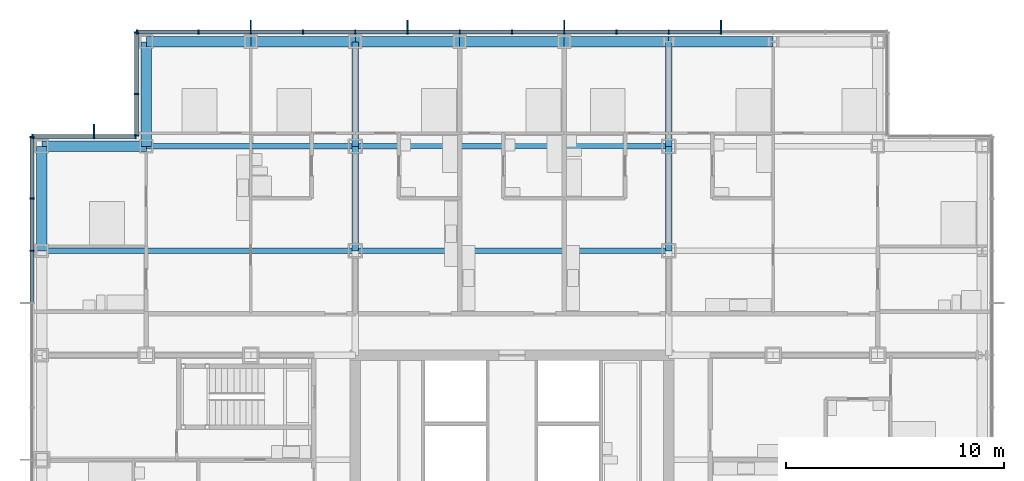
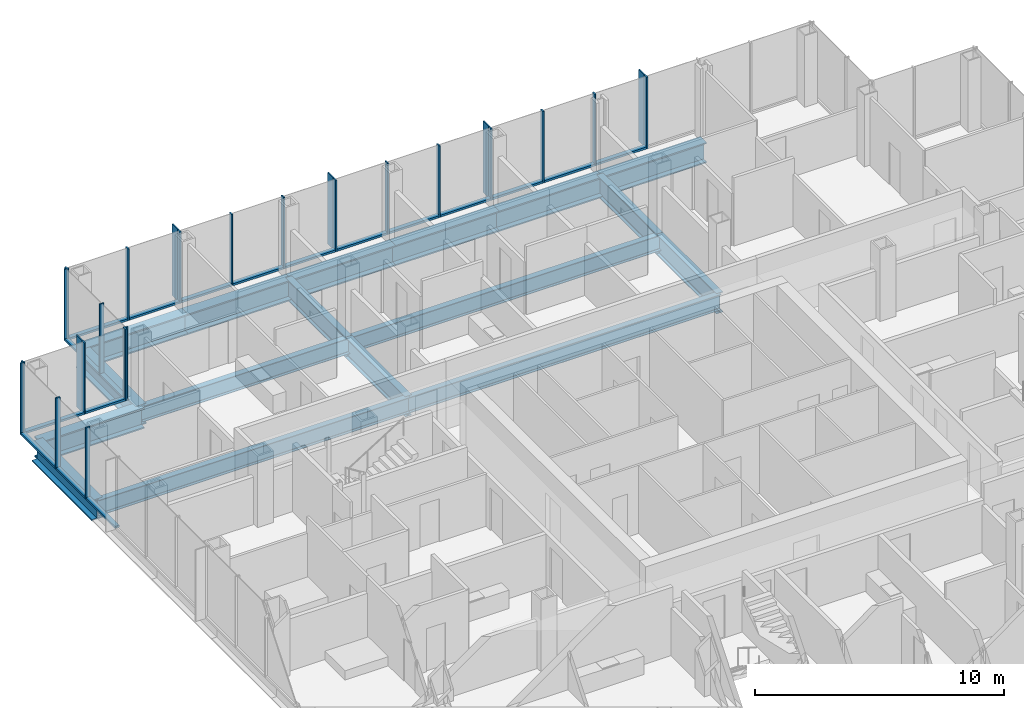
# One storey, part 10 of 21: 44 members, 17 beams, 4 elements without a shape of their own.
"""IFC4 building model written with IfcOpenShell, lengths in metres."""

from ifc_helpers import new_model, si_unit, direction, frame, origin, origin_2d, place, context, subcontext, project, spatial, rectangle, i_section, extrude, material, material_profile, profile_set, type_object, element, aggregate, save


model = new_model("IFC4")

# Units and contexts
model_context = context("Model", 3, precision=1e-05, world=origin(), true_north=direction((0.0, 1.0)))
body_context = subcontext(model_context, "Body", "Model", "MODEL_VIEW")
ifc_project = project(units=[si_unit("LENGTHUNIT", "METRE"), si_unit("AREAUNIT", "SQUARE_METRE"), si_unit("VOLUMEUNIT", "CUBIC_METRE"), si_unit("PLANEANGLEUNIT", "RADIAN"), si_unit("MASSUNIT", "GRAM", prefix="KILO")], contexts=[model_context])

# Site, building, storey
site_placement = place(None, origin())
site = spatial("IfcSite", under=ifc_project, at=site_placement, CompositionType="ELEMENT")
building_placement = place(site_placement, origin())
building = spatial("IfcBuilding", under=site, at=building_placement, Name="Kvirike Care Tower", CompositionType="ELEMENT")
storey_placement = place(building_placement, frame((0.0, 0.0, 55.0)))
storey = spatial("IfcBuildingStorey", under=building, at=storey_placement, Name="L14", CompositionType="ELEMENT", Elevation=55.0)

# Curtain wall, members
ifc_material_1 = material(Name="Anodised aluminium stick system", Category="aluminium")
curtain_wall_type = type_object("IfcCurtainWallType", Name="CW-A STICK CURTAIN WALL", PredefinedType="NOTDEFINED", material=ifc_material_1)
curtain_wall_1_placement = place(storey_placement, origin())
curtain_wall_1 = element("IfcCurtainWall", 1, at=curtain_wall_1_placement, inside=storey, type_object=curtain_wall_type, Name="Curtain wall L14 face 10", PredefinedType="NOTDEFINED")
ifc_material_2 = material(Name="Bronze anodised aluminium fin", Category="aluminium")
ifc_material_profile_1 = material_profile(ifc_material_2, rectangle(XDim=0.050048828125, YDim=0.449951171875, at=origin_2d()), Name="BRONZE FIN 450")
ifc_profile_set_1 = profile_set([ifc_material_profile_1], Name="Bronze anodised aluminium fin")
member_type_1 = type_object("IfcMemberType", Name="BRONZE FIN 450", PredefinedType="USERDEFINED", material=ifc_profile_set_1)
member_1_placement = place(storey_placement, frame((31.199951171875, 58.375, 0.0), z_axis=(0.0, 0.0, 1.0), x_axis=(-1.0, 0.0, 0.0)))
member_1 = element("IfcMember", 2, at=member_1_placement, type_object=member_type_1, Name="Bronze fin L14 face 10.4", ObjectType="FIN", PredefinedType="USERDEFINED", context=body_context, shape_type="SweptSolid", body=[
    extrude(rectangle(XDim=0.050048828125, YDim=0.449951171875, at=origin_2d()), origin(), (0.0, 0.0, 1.0), 3.5),
])
member_2_placement = place(storey_placement, frame((24.0, 58.375, 0.0), z_axis=(0.0, 0.0, 1.0), x_axis=(-1.0, 0.0, 0.0)))
member_2 = element("IfcMember", 3, at=member_2_placement, type_object=member_type_1, Name="Bronze fin L14 face 10.7", ObjectType="FIN", PredefinedType="USERDEFINED", context=body_context, shape_type="SweptSolid", body=[
    extrude(rectangle(XDim=0.050048828125, YDim=0.449951171875, at=origin_2d()), origin(), (0.0, 0.0, 1.0), 3.5),
])
member_3_placement = place(storey_placement, frame((16.800048828125, 58.375, 0.0), z_axis=(0.0, 0.0, 1.0), x_axis=(-1.0, 0.0, 0.0)))
member_3 = element("IfcMember", 4, at=member_3_placement, type_object=member_type_1, Name="Bronze fin L14 face 10.10", ObjectType="FIN", PredefinedType="USERDEFINED", context=body_context, shape_type="SweptSolid", body=[
    extrude(rectangle(XDim=0.050048828125, YDim=0.449951171875, at=origin_2d()), origin(), (0.0, 0.0, 1.0), 3.5),
])
member_4_placement = place(storey_placement, frame((9.60009765625, 58.375, 0.0), z_axis=(0.0, 0.0, 1.0), x_axis=(-1.0, 0.0, 0.0)))
member_4 = element("IfcMember", 5, at=member_4_placement, type_object=member_type_1, Name="Bronze fin L14 face 10.13", ObjectType="FIN", PredefinedType="USERDEFINED", context=body_context, shape_type="SweptSolid", body=[
    extrude(rectangle(XDim=0.050048828125, YDim=0.449951171875, at=origin_2d()), origin(), (0.0, 0.0, 1.0), 3.5),
])

# Curtain wall, member
curtain_wall_2_placement = place(storey_placement, origin())
curtain_wall_2 = element("IfcCurtainWall", 6, at=curtain_wall_2_placement, inside=storey, type_object=curtain_wall_type, Name="Curtain wall L14 face 12", PredefinedType="NOTDEFINED")
member_5_placement = place(storey_placement, frame((2.39990234375, 53.574951171875, 0.0), z_axis=(0.0, 0.0, 1.0), x_axis=(-1.0, 0.0, 0.0)))
member_5 = element("IfcMember", 7, at=member_5_placement, type_object=member_type_1, Name="Bronze fin L14 face 12.2", ObjectType="FIN", PredefinedType="USERDEFINED", context=body_context, shape_type="SweptSolid", body=[
    extrude(rectangle(XDim=0.050048828125, YDim=0.449951171875, at=origin_2d()), origin(), (0.0, 0.0, 1.0), 3.5),
])

# Curtain wall, members
curtain_wall_3_placement = place(storey_placement, origin())
curtain_wall_3 = element("IfcCurtainWall", 8, at=curtain_wall_3_placement, inside=storey, type_object=curtain_wall_type, Name="Curtain wall L14 face 1", PredefinedType="NOTDEFINED")
ifc_material_3 = material(Name="Bronze anodised aluminium mullion", Category="aluminium")
ifc_material_profile_2 = material_profile(ifc_material_3, rectangle(XDim=0.06494140625, YDim=0.199951171875, at=origin_2d()), Name="CW-A MULLION 65x200")
ifc_profile_set_2 = profile_set([ifc_material_profile_2], Name="Bronze anodised aluminium mullion")
member_type_2 = type_object("IfcMemberType", Name="CW-A MULLION 65x200", PredefinedType="MULLION", material=ifc_profile_set_2)
member_6_placement = place(storey_placement, frame((-0.449951171875, 53.217529296875, 0.0), z_axis=(0.0, 0.0, 1.0), x_axis=(0.0, -1.0, 0.0)))
member_6 = element("IfcMember", 9, at=member_6_placement, type_object=member_type_2, Name="CW-A mullion L14 face 1.1", PredefinedType="MULLION", context=body_context, shape_type="SweptSolid", body=[
    extrude(rectangle(XDim=0.06494140625, YDim=0.199951171875, at=origin_2d()), origin(), (0.0, 0.0, 1.0), 3.5),
])
member_7_placement = place(storey_placement, frame((-0.449951171875, 50.39990234375, 0.0), z_axis=(0.0, 0.0, 1.0), x_axis=(0.0, -1.0, 0.0)))
member_7 = element("IfcMember", 10, at=member_7_placement, type_object=member_type_2, Name="CW-A mullion L14 face 1.2", PredefinedType="MULLION", context=body_context, shape_type="SweptSolid", body=[
    extrude(rectangle(XDim=0.06494140625, YDim=0.199951171875, at=origin_2d()), origin(), (0.0, 0.0, 1.0), 3.5),
])
member_8_placement = place(storey_placement, frame((-0.449951171875, 48.0, 0.0), z_axis=(0.0, 0.0, 1.0), x_axis=(0.0, -1.0, 0.0)))
member_8 = element("IfcMember", 11, at=member_8_placement, type_object=member_type_2, Name="CW-A mullion L14 face 1.3", PredefinedType="MULLION", context=body_context, shape_type="SweptSolid", body=[
    extrude(rectangle(XDim=0.06494140625, YDim=0.199951171875, at=origin_2d()), origin(), (0.0, 0.0, 1.0), 3.5),
])

# Member
member_9_placement = place(storey_placement, frame((31.199951171875, 58.050048828125, 0.0), z_axis=(0.0, 0.0, 1.0), x_axis=(-1.0, 0.0, 0.0)))
member_9 = element("IfcMember", 12, at=member_9_placement, type_object=member_type_2, Name="CW-A mullion L14 face 10.4", PredefinedType="MULLION", context=body_context, shape_type="SweptSolid", body=[
    extrude(rectangle(XDim=0.06494140625, YDim=0.199951171875, at=origin_2d()), origin(), (0.0, 0.0, 1.0), 3.5),
])

member_10_placement = place(storey_placement, frame((28.800048828125, 58.050048828125, 0.0), z_axis=(0.0, 0.0, 1.0), x_axis=(-1.0, 0.0, 0.0)))
member_10 = element("IfcMember", 13, at=member_10_placement, type_object=member_type_2, Name="CW-A mullion L14 face 10.5", PredefinedType="MULLION", context=body_context, shape_type="SweptSolid", body=[
    extrude(rectangle(XDim=0.06494140625, YDim=0.199951171875, at=origin_2d()), origin(), (0.0, 0.0, 1.0), 3.5),
])

member_11_placement = place(storey_placement, frame((26.39990234375, 58.050048828125, 0.0), z_axis=(0.0, 0.0, 1.0), x_axis=(-1.0, 0.0, 0.0)))
member_11 = element("IfcMember", 14, at=member_11_placement, type_object=member_type_2, Name="CW-A mullion L14 face 10.6", PredefinedType="MULLION", context=body_context, shape_type="SweptSolid", body=[
    extrude(rectangle(XDim=0.06494140625, YDim=0.199951171875, at=origin_2d()), origin(), (0.0, 0.0, 1.0), 3.5),
])

member_12_placement = place(storey_placement, frame((24.0, 58.050048828125, 0.0), z_axis=(0.0, 0.0, 1.0), x_axis=(-1.0, 0.0, 0.0)))
member_12 = element("IfcMember", 15, at=member_12_placement, type_object=member_type_2, Name="CW-A mullion L14 face 10.7", PredefinedType="MULLION", context=body_context, shape_type="SweptSolid", body=[
    extrude(rectangle(XDim=0.06494140625, YDim=0.199951171875, at=origin_2d()), origin(), (0.0, 0.0, 1.0), 3.5),
])

member_13_placement = place(storey_placement, frame((21.60009765625, 58.050048828125, 0.0), z_axis=(0.0, 0.0, 1.0), x_axis=(-1.0, 0.0, 0.0)))
member_13 = element("IfcMember", 16, at=member_13_placement, type_object=member_type_2, Name="CW-A mullion L14 face 10.8", PredefinedType="MULLION", context=body_context, shape_type="SweptSolid", body=[
    extrude(rectangle(XDim=0.06494140625, YDim=0.199951171875, at=origin_2d()), origin(), (0.0, 0.0, 1.0), 3.5),
])

member_14_placement = place(storey_placement, frame((19.199951171875, 58.050048828125, 0.0), z_axis=(0.0, 0.0, 1.0), x_axis=(-1.0, 0.0, 0.0)))
member_14 = element("IfcMember", 17, at=member_14_placement, type_object=member_type_2, Name="CW-A mullion L14 face 10.9", PredefinedType="MULLION", context=body_context, shape_type="SweptSolid", body=[
    extrude(rectangle(XDim=0.06494140625, YDim=0.199951171875, at=origin_2d()), origin(), (0.0, 0.0, 1.0), 3.5),
])

member_15_placement = place(storey_placement, frame((16.800048828125, 58.050048828125, 0.0), z_axis=(0.0, 0.0, 1.0), x_axis=(-1.0, 0.0, 0.0)))
member_15 = element("IfcMember", 18, at=member_15_placement, type_object=member_type_2, Name="CW-A mullion L14 face 10.10", PredefinedType="MULLION", context=body_context, shape_type="SweptSolid", body=[
    extrude(rectangle(XDim=0.06494140625, YDim=0.199951171875, at=origin_2d()), origin(), (0.0, 0.0, 1.0), 3.5),
])

member_16_placement = place(storey_placement, frame((14.39990234375, 58.050048828125, 0.0), z_axis=(0.0, 0.0, 1.0), x_axis=(-1.0, 0.0, 0.0)))
member_16 = element("IfcMember", 19, at=member_16_placement, type_object=member_type_2, Name="CW-A mullion L14 face 10.11", PredefinedType="MULLION", context=body_context, shape_type="SweptSolid", body=[
    extrude(rectangle(XDim=0.06494140625, YDim=0.199951171875, at=origin_2d()), origin(), (0.0, 0.0, 1.0), 3.5),
])

member_17_placement = place(storey_placement, frame((12.0, 58.050048828125, 0.0), z_axis=(0.0, 0.0, 1.0), x_axis=(-1.0, 0.0, 0.0)))
member_17 = element("IfcMember", 20, at=member_17_placement, type_object=member_type_2, Name="CW-A mullion L14 face 10.12", PredefinedType="MULLION", context=body_context, shape_type="SweptSolid", body=[
    extrude(rectangle(XDim=0.06494140625, YDim=0.199951171875, at=origin_2d()), origin(), (0.0, 0.0, 1.0), 3.5),
])

member_18_placement = place(storey_placement, frame((9.60009765625, 58.050048828125, 0.0), z_axis=(0.0, 0.0, 1.0), x_axis=(-1.0, 0.0, 0.0)))
member_18 = element("IfcMember", 21, at=member_18_placement, type_object=member_type_2, Name="CW-A mullion L14 face 10.13", PredefinedType="MULLION", context=body_context, shape_type="SweptSolid", body=[
    extrude(rectangle(XDim=0.06494140625, YDim=0.199951171875, at=origin_2d()), origin(), (0.0, 0.0, 1.0), 3.5),
])

member_19_placement = place(storey_placement, frame((7.199951171875, 58.050048828125, 0.0), z_axis=(0.0, 0.0, 1.0), x_axis=(-1.0, 0.0, 0.0)))
member_19 = element("IfcMember", 22, at=member_19_placement, type_object=member_type_2, Name="CW-A mullion L14 face 10.14", PredefinedType="MULLION", context=body_context, shape_type="SweptSolid", body=[
    extrude(rectangle(XDim=0.06494140625, YDim=0.199951171875, at=origin_2d()), origin(), (0.0, 0.0, 1.0), 3.5),
])

member_20_placement = place(storey_placement, frame((4.382568359375, 58.050048828125, 0.0), z_axis=(0.0, 0.0, 1.0), x_axis=(-1.0, 0.0, 0.0)))
member_20 = element("IfcMember", 23, at=member_20_placement, type_object=member_type_2, Name="CW-A mullion L14 face 10.15", PredefinedType="MULLION", context=body_context, shape_type="SweptSolid", body=[
    extrude(rectangle(XDim=0.06494140625, YDim=0.199951171875, at=origin_2d()), origin(), (0.0, 0.0, 1.0), 3.5),
])

# Curtain wall, members
curtain_wall_4_placement = place(storey_placement, origin())
curtain_wall_4 = element("IfcCurtainWall", 24, at=curtain_wall_4_placement, inside=storey, type_object=curtain_wall_type, Name="Curtain wall L14 face 11", PredefinedType="NOTDEFINED")
member_21_placement = place(storey_placement, frame((4.35009765625, 58.017578125, 0.0), z_axis=(0.0, 0.0, 1.0), x_axis=(0.0, -1.0, 0.0)))
member_21 = element("IfcMember", 25, at=member_21_placement, type_object=member_type_2, Name="CW-A mullion L14 face 11.1", PredefinedType="MULLION", context=body_context, shape_type="SweptSolid", body=[
    extrude(rectangle(XDim=0.06494140625, YDim=0.199951171875, at=origin_2d()), origin(), (0.0, 0.0, 1.0), 3.5),
])
member_22_placement = place(storey_placement, frame((4.35009765625, 55.199951171875, 0.0), z_axis=(0.0, 0.0, 1.0), x_axis=(0.0, -1.0, 0.0)))
member_22 = element("IfcMember", 26, at=member_22_placement, type_object=member_type_2, Name="CW-A mullion L14 face 11.2", PredefinedType="MULLION", context=body_context, shape_type="SweptSolid", body=[
    extrude(rectangle(XDim=0.06494140625, YDim=0.199951171875, at=origin_2d()), origin(), (0.0, 0.0, 1.0), 3.5),
])
member_23_placement = place(storey_placement, frame((4.35009765625, 53.282470703125, 0.0), z_axis=(0.0, 0.0, 1.0), x_axis=(0.0, -1.0, 0.0)))
member_23 = element("IfcMember", 27, at=member_23_placement, type_object=member_type_2, Name="CW-A mullion L14 face 11.3", PredefinedType="MULLION", context=body_context, shape_type="SweptSolid", body=[
    extrude(rectangle(XDim=0.06494140625, YDim=0.199951171875, at=origin_2d()), origin(), (0.0, 0.0, 1.0), 3.5),
])

# Member
member_24_placement = place(storey_placement, frame((4.3173828125, 53.25, 0.0), z_axis=(0.0, 0.0, 1.0), x_axis=(-1.0, 0.0, 0.0)))
member_24 = element("IfcMember", 28, at=member_24_placement, type_object=member_type_2, Name="CW-A mullion L14 face 12.1", PredefinedType="MULLION", context=body_context, shape_type="SweptSolid", body=[
    extrude(rectangle(XDim=0.06494140625, YDim=0.199951171875, at=origin_2d()), origin(), (0.0, 0.0, 1.0), 3.5),
])

member_25_placement = place(storey_placement, frame((2.39990234375, 53.25, 0.0), z_axis=(0.0, 0.0, 1.0), x_axis=(-1.0, 0.0, 0.0)))
member_25 = element("IfcMember", 29, at=member_25_placement, type_object=member_type_2, Name="CW-A mullion L14 face 12.2", PredefinedType="MULLION", context=body_context, shape_type="SweptSolid", body=[
    extrude(rectangle(XDim=0.06494140625, YDim=0.199951171875, at=origin_2d()), origin(), (0.0, 0.0, 1.0), 3.5),
])

member_26_placement = place(storey_placement, frame((-0.41748046875, 53.25, 0.0), z_axis=(0.0, 0.0, 1.0), x_axis=(-1.0, 0.0, 0.0)))
member_26 = element("IfcMember", 30, at=member_26_placement, type_object=member_type_2, Name="CW-A mullion L14 face 12.3", PredefinedType="MULLION", context=body_context, shape_type="SweptSolid", body=[
    extrude(rectangle(XDim=0.06494140625, YDim=0.199951171875, at=origin_2d()), origin(), (0.0, 0.0, 1.0), 3.5),
])

ifc_material_4 = material(Name="Bronze anodised aluminium transom", Category="aluminium")
ifc_material_profile_3 = material_profile(ifc_material_4, rectangle(XDim=0.199951171875, YDim=0.10009765625, at=origin_2d()), Name="CW-A TRANSOM 200x100")
ifc_profile_set_3 = profile_set([ifc_material_profile_3], Name="Bronze anodised aluminium transom")
member_type_3 = type_object("IfcMemberType", Name="CW-A TRANSOM 200x100", PredefinedType="USERDEFINED", material=ifc_profile_set_3)
member_27_placement = place(storey_placement, frame((-0.449951171875, 53.18505859375, 0.050048828125), z_axis=(0.0, -1.0, 0.0), x_axis=(1.0, 0.0, 0.0)))
member_27 = element("IfcMember", 31, at=member_27_placement, type_object=member_type_3, Name="CW-A sill transom L14 face 1.1", ObjectType="TRANSOM", PredefinedType="USERDEFINED", context=body_context, shape_type="SweptSolid", body=[
    extrude(rectangle(XDim=0.199951171875, YDim=0.10009765625, at=origin_2d()), origin(), (0.0, 0.0, 1.0), 2.75244140625),
])

member_28_placement = place(storey_placement, frame((-0.449951171875, 50.367431640625, 0.050048828125), z_axis=(0.0, -1.0, 0.0), x_axis=(1.0, 0.0, 0.0)))
member_28 = element("IfcMember", 32, at=member_28_placement, type_object=member_type_3, Name="CW-A sill transom L14 face 1.2", ObjectType="TRANSOM", PredefinedType="USERDEFINED", context=body_context, shape_type="SweptSolid", body=[
    extrude(rectangle(XDim=0.199951171875, YDim=0.10009765625, at=origin_2d()), origin(), (0.0, 0.0, 1.0), 2.3349609375),
])

member_29_placement = place(storey_placement, frame((-0.449951171875, 47.967529296875, 0.050048828125), z_axis=(0.0, -1.0, 0.0), x_axis=(1.0, 0.0, 0.0)))
member_29 = element("IfcMember", 33, at=member_29_placement, type_object=member_type_3, Name="CW-A sill transom L14 face 1.3", ObjectType="TRANSOM", PredefinedType="USERDEFINED", context=body_context, shape_type="SweptSolid", body=[
    extrude(rectangle(XDim=0.199951171875, YDim=0.10009765625, at=origin_2d()), origin(), (0.0, 0.0, 1.0), 2.3349609375),
])

aggregate(curtain_wall_3, [member_6, member_7, member_8, member_27, member_28, member_29])

member_30_placement = place(storey_placement, frame((31.16748046875, 58.050048828125, 0.050048828125), z_axis=(-1.0, 0.0, 0.0), x_axis=(0.0, -1.0, 0.0)))
member_30 = element("IfcMember", 34, at=member_30_placement, type_object=member_type_3, Name="CW-A sill transom L14 face 10.4", ObjectType="TRANSOM", PredefinedType="USERDEFINED", context=body_context, shape_type="SweptSolid", body=[
    extrude(rectangle(XDim=0.199951171875, YDim=0.10009765625, at=origin_2d()), origin(), (0.0, 0.0, 1.0), 2.3349609375),
])

member_31_placement = place(storey_placement, frame((28.767578125, 58.050048828125, 0.050048828125), z_axis=(-1.0, 0.0, 0.0), x_axis=(0.0, -1.0, 0.0)))
member_31 = element("IfcMember", 35, at=member_31_placement, type_object=member_type_3, Name="CW-A sill transom L14 face 10.5", ObjectType="TRANSOM", PredefinedType="USERDEFINED", context=body_context, shape_type="SweptSolid", body=[
    extrude(rectangle(XDim=0.199951171875, YDim=0.10009765625, at=origin_2d()), origin(), (0.0, 0.0, 1.0), 2.3349609375),
])

member_32_placement = place(storey_placement, frame((26.367431640625, 58.050048828125, 0.050048828125), z_axis=(-1.0, 0.0, 0.0), x_axis=(0.0, -1.0, 0.0)))
member_32 = element("IfcMember", 36, at=member_32_placement, type_object=member_type_3, Name="CW-A sill transom L14 face 10.6", ObjectType="TRANSOM", PredefinedType="USERDEFINED", context=body_context, shape_type="SweptSolid", body=[
    extrude(rectangle(XDim=0.199951171875, YDim=0.10009765625, at=origin_2d()), origin(), (0.0, 0.0, 1.0), 2.3349609375),
])

member_33_placement = place(storey_placement, frame((23.967529296875, 58.050048828125, 0.050048828125), z_axis=(-1.0, 0.0, 0.0), x_axis=(0.0, -1.0, 0.0)))
member_33 = element("IfcMember", 37, at=member_33_placement, type_object=member_type_3, Name="CW-A sill transom L14 face 10.7", ObjectType="TRANSOM", PredefinedType="USERDEFINED", context=body_context, shape_type="SweptSolid", body=[
    extrude(rectangle(XDim=0.199951171875, YDim=0.10009765625, at=origin_2d()), origin(), (0.0, 0.0, 1.0), 2.3349609375),
])

member_34_placement = place(storey_placement, frame((21.5673828125, 58.050048828125, 0.050048828125), z_axis=(-1.0, 0.0, 0.0), x_axis=(0.0, -1.0, 0.0)))
member_34 = element("IfcMember", 38, at=member_34_placement, type_object=member_type_3, Name="CW-A sill transom L14 face 10.8", ObjectType="TRANSOM", PredefinedType="USERDEFINED", context=body_context, shape_type="SweptSolid", body=[
    extrude(rectangle(XDim=0.199951171875, YDim=0.10009765625, at=origin_2d()), origin(), (0.0, 0.0, 1.0), 2.3349609375),
])

member_35_placement = place(storey_placement, frame((19.16748046875, 58.050048828125, 0.050048828125), z_axis=(-1.0, 0.0, 0.0), x_axis=(0.0, -1.0, 0.0)))
member_35 = element("IfcMember", 39, at=member_35_placement, type_object=member_type_3, Name="CW-A sill transom L14 face 10.9", ObjectType="TRANSOM", PredefinedType="USERDEFINED", context=body_context, shape_type="SweptSolid", body=[
    extrude(rectangle(XDim=0.199951171875, YDim=0.10009765625, at=origin_2d()), origin(), (0.0, 0.0, 1.0), 2.3349609375),
])

member_36_placement = place(storey_placement, frame((16.767578125, 58.050048828125, 0.050048828125), z_axis=(-1.0, 0.0, 0.0), x_axis=(0.0, -1.0, 0.0)))
member_36 = element("IfcMember", 40, at=member_36_placement, type_object=member_type_3, Name="CW-A sill transom L14 face 10.10", ObjectType="TRANSOM", PredefinedType="USERDEFINED", context=body_context, shape_type="SweptSolid", body=[
    extrude(rectangle(XDim=0.199951171875, YDim=0.10009765625, at=origin_2d()), origin(), (0.0, 0.0, 1.0), 2.3349609375),
])

member_37_placement = place(storey_placement, frame((14.367431640625, 58.050048828125, 0.050048828125), z_axis=(-1.0, 0.0, 0.0), x_axis=(0.0, -1.0, 0.0)))
member_37 = element("IfcMember", 41, at=member_37_placement, type_object=member_type_3, Name="CW-A sill transom L14 face 10.11", ObjectType="TRANSOM", PredefinedType="USERDEFINED", context=body_context, shape_type="SweptSolid", body=[
    extrude(rectangle(XDim=0.199951171875, YDim=0.10009765625, at=origin_2d()), origin(), (0.0, 0.0, 1.0), 2.3349609375),
])

member_38_placement = place(storey_placement, frame((11.967529296875, 58.050048828125, 0.050048828125), z_axis=(-1.0, 0.0, 0.0), x_axis=(0.0, -1.0, 0.0)))
member_38 = element("IfcMember", 42, at=member_38_placement, type_object=member_type_3, Name="CW-A sill transom L14 face 10.12", ObjectType="TRANSOM", PredefinedType="USERDEFINED", context=body_context, shape_type="SweptSolid", body=[
    extrude(rectangle(XDim=0.199951171875, YDim=0.10009765625, at=origin_2d()), origin(), (0.0, 0.0, 1.0), 2.3349609375),
])

member_39_placement = place(storey_placement, frame((9.5673828125, 58.050048828125, 0.050048828125), z_axis=(-1.0, 0.0, 0.0), x_axis=(0.0, -1.0, 0.0)))
member_39 = element("IfcMember", 43, at=member_39_placement, type_object=member_type_3, Name="CW-A sill transom L14 face 10.13", ObjectType="TRANSOM", PredefinedType="USERDEFINED", context=body_context, shape_type="SweptSolid", body=[
    extrude(rectangle(XDim=0.199951171875, YDim=0.10009765625, at=origin_2d()), origin(), (0.0, 0.0, 1.0), 2.3349609375),
])

member_40_placement = place(storey_placement, frame((7.16748046875, 58.050048828125, 0.050048828125), z_axis=(-1.0, 0.0, 0.0), x_axis=(0.0, -1.0, 0.0)))
member_40 = element("IfcMember", 44, at=member_40_placement, type_object=member_type_3, Name="CW-A sill transom L14 face 10.14", ObjectType="TRANSOM", PredefinedType="USERDEFINED", context=body_context, shape_type="SweptSolid", body=[
    extrude(rectangle(XDim=0.199951171875, YDim=0.10009765625, at=origin_2d()), origin(), (0.0, 0.0, 1.0), 2.75244140625),
])

aggregate(curtain_wall_1, [member_9, member_1, member_10, member_11, member_12, member_2, member_13, member_14, member_15, member_3, member_16, member_17, member_18, member_4, member_19, member_20, member_30, member_31, member_32, member_33, member_34, member_35, member_36, member_37, member_38, member_39, member_40])

member_41_placement = place(storey_placement, frame((4.35009765625, 57.985107421875, 0.050048828125), z_axis=(0.0, -1.0, 0.0), x_axis=(1.0, 0.0, 0.0)))
member_41 = element("IfcMember", 45, at=member_41_placement, type_object=member_type_3, Name="CW-A sill transom L14 face 11.1", ObjectType="TRANSOM", PredefinedType="USERDEFINED", context=body_context, shape_type="SweptSolid", body=[
    extrude(rectangle(XDim=0.199951171875, YDim=0.10009765625, at=origin_2d()), origin(), (0.0, 0.0, 1.0), 2.752685546875),
])

member_42_placement = place(storey_placement, frame((4.35009765625, 55.16748046875, 0.050048828125), z_axis=(0.0, -1.0, 0.0), x_axis=(1.0, 0.0, 0.0)))
member_42 = element("IfcMember", 46, at=member_42_placement, type_object=member_type_3, Name="CW-A sill transom L14 face 11.2", ObjectType="TRANSOM", PredefinedType="USERDEFINED", context=body_context, shape_type="SweptSolid", body=[
    extrude(rectangle(XDim=0.199951171875, YDim=0.10009765625, at=origin_2d()), origin(), (0.0, 0.0, 1.0), 1.8525390625),
])

aggregate(curtain_wall_4, [member_21, member_22, member_23, member_41, member_42])

member_43_placement = place(storey_placement, frame((4.284912109375, 53.25, 0.050048828125), z_axis=(-1.0, 0.0, 0.0), x_axis=(0.0, -1.0, 0.0)))
member_43 = element("IfcMember", 47, at=member_43_placement, type_object=member_type_3, Name="CW-A sill transom L14 face 12.1", ObjectType="TRANSOM", PredefinedType="USERDEFINED", context=body_context, shape_type="SweptSolid", body=[
    extrude(rectangle(XDim=0.199951171875, YDim=0.10009765625, at=origin_2d()), origin(), (0.0, 0.0, 1.0), 1.852294921875),
])

member_44_placement = place(storey_placement, frame((2.367431640625, 53.25, 0.050048828125), z_axis=(-1.0, 0.0, 0.0), x_axis=(0.0, -1.0, 0.0)))
member_44 = element("IfcMember", 48, at=member_44_placement, type_object=member_type_3, Name="CW-A sill transom L14 face 12.2", ObjectType="TRANSOM", PredefinedType="USERDEFINED", context=body_context, shape_type="SweptSolid", body=[
    extrude(rectangle(XDim=0.199951171875, YDim=0.10009765625, at=origin_2d()), origin(), (0.0, 0.0, 1.0), 2.75244140625),
])

aggregate(curtain_wall_2, [member_24, member_25, member_5, member_26, member_43, member_44])

# Beams
ifc_material_5 = material(Name="Steel S355", Category="steel")
ifc_material_profile_4 = material_profile(ifc_material_5, i_section(OverallWidth=0.26806640625, OverallDepth=0.77001953125, WebThickness=0.015625, FlangeThickness=0.025390625, FilletRadius=0.01708984375, at=origin_2d()), Name="IPE 750x196")
ifc_profile_set_4 = profile_set([ifc_material_profile_4], Name="Steel S355")
beam_type_1 = type_object("IfcBeamType", Name="FLOOR BEAM IPE 750x196", PredefinedType="BEAM", material=ifc_profile_set_4)
beam_1_placement = place(storey_placement, frame((0.0, 48.0, -0.554931640625), z_axis=(1.0, 0.0, 0.0), x_axis=(0.0, 1.0, 0.0)))
element("IfcBeam", 49, at=beam_1_placement, inside=storey, type_object=beam_type_1, Name="Floor Beam L3-L6 L14", PredefinedType="BEAM", context=body_context, shape_type="SweptSolid", body=[
    extrude(i_section(OverallWidth=0.26806640625, OverallDepth=0.77001953125, WebThickness=0.015625, FlangeThickness=0.025390625, FilletRadius=0.01708984375, at=origin_2d()), origin(), (0.0, 0.0, 1.0), 14.39990234375),
])
beam_2_placement = place(storey_placement, frame((14.39990234375, 48.0, -0.554931640625), z_axis=(1.0, 0.0, 0.0), x_axis=(0.0, 1.0, 0.0)))
element("IfcBeam", 50, at=beam_2_placement, inside=storey, type_object=beam_type_1, Name="Floor Beam L6-L9 L14", PredefinedType="BEAM", context=body_context, shape_type="SweptSolid", body=[
    extrude(i_section(OverallWidth=0.26806640625, OverallDepth=0.77001953125, WebThickness=0.015625, FlangeThickness=0.025390625, FilletRadius=0.01708984375, at=origin_2d()), origin(), (0.0, 0.0, 1.0), 14.400146484375),
])
beam_3_placement = place(storey_placement, frame((4.800048828125, 52.800048828125, -0.554931640625), z_axis=(1.0, 0.0, 0.0), x_axis=(0.0, 1.0, 0.0)))
element("IfcBeam", 51, at=beam_3_placement, inside=storey, type_object=beam_type_1, Name="Floor Beam M4-M6 L14", PredefinedType="BEAM", context=body_context, shape_type="SweptSolid", body=[
    extrude(i_section(OverallWidth=0.26806640625, OverallDepth=0.77001953125, WebThickness=0.015625, FlangeThickness=0.025390625, FilletRadius=0.01708984375, at=origin_2d()), origin(), (0.0, 0.0, 1.0), 9.599853515625),
])
beam_4_placement = place(storey_placement, frame((14.39990234375, 52.800048828125, -0.554931640625), z_axis=(1.0, 0.0, 0.0), x_axis=(0.0, 1.0, 0.0)))
element("IfcBeam", 52, at=beam_4_placement, inside=storey, type_object=beam_type_1, Name="Floor Beam M6-M9 L14", PredefinedType="BEAM", context=body_context, shape_type="SweptSolid", body=[
    extrude(i_section(OverallWidth=0.26806640625, OverallDepth=0.77001953125, WebThickness=0.015625, FlangeThickness=0.025390625, FilletRadius=0.01708984375, at=origin_2d()), origin(), (0.0, 0.0, 1.0), 14.400146484375),
])
ifc_material_6 = material(Name="Steel S355", Category="steel")
ifc_material_profile_5 = material_profile(ifc_material_6, i_section(OverallWidth=0.300048828125, OverallDepth=1.0, WebThickness=0.01904296875, FlangeThickness=0.035888671875, FilletRadius=0.030029296875, at=origin_2d()), Name="HE 1000 B")
ifc_profile_set_5 = profile_set([ifc_material_profile_5], Name="Steel S355")
beam_type_2 = type_object("IfcBeamType", Name="FRAME BEAM HE 1000 B", PredefinedType="BEAM", material=ifc_profile_set_5)
for number, where, z_axis, x_axis, name in (
    (53, (14.39990234375, 48.0, -0.669921875), (0.0, 1.0, 0.0), (-1.0, 0.0, 0.0), "Frame Beam L6-M6 L14"),
    (54, (14.39990234375, 52.800048828125, -0.669921875), (0.0, 1.0, 0.0), (-1.0, 0.0, 0.0), "Frame Beam M6-N6 L14"),
    (55, (28.800048828125, 48.0, -0.669921875), (0.0, 1.0, 0.0), (-1.0, 0.0, 0.0), "Frame Beam L9-M9 L14"),
    (56, (28.800048828125, 52.800048828125, -0.669921875), (0.0, 1.0, 0.0), (-1.0, 0.0, 0.0), "Frame Beam M9-N9 L14"),
):
    element("IfcBeam", number, at=place(storey_placement, frame(where, z_axis=z_axis, x_axis=x_axis)), inside=storey, type_object=beam_type_2, Name=name, PredefinedType="BEAM", context=body_context, shape_type="SweptSolid", body=[
        extrude(i_section(OverallWidth=0.300048828125, OverallDepth=1.0, WebThickness=0.01904296875, FlangeThickness=0.035888671875, FilletRadius=0.030029296875, at=origin_2d()), origin(), (0.0, 0.0, 1.0), 4.800048828125),
    ])
ifc_material_7 = material(Name="Steel S355", Category="steel")
ifc_material_profile_6 = material_profile(ifc_material_7, i_section(OverallWidth=0.5, OverallDepth=1.0, WebThickness=0.030029296875, FlangeThickness=0.06005859375, at=origin_2d()), Name="PG 1000x500x30x60")
ifc_profile_set_6 = profile_set([ifc_material_profile_6], Name="Steel S355")
beam_type_3 = type_object("IfcBeamType", Name="SPANDREL PG 1000x500x30x60", PredefinedType="SPANDREL", material=ifc_profile_set_6)
for number, where, z_axis, x_axis, name in (
    (57, (0.0, 52.800048828125, -0.669921875), (1.0, 0.0, 0.0), (0.0, 1.0, 0.0), "Spandrel M3-M4 L14"),
    (58, (4.800048828125, 57.60009765625, -0.669921875), (1.0, 0.0, 0.0), (0.0, 1.0, 0.0), "Spandrel N4-N5 L14"),
):
    element("IfcBeam", number, at=place(storey_placement, frame(where, z_axis=z_axis, x_axis=x_axis)), inside=storey, type_object=beam_type_3, Name=name, PredefinedType="SPANDREL", context=body_context, shape_type="SweptSolid", body=[
        extrude(i_section(OverallWidth=0.5, OverallDepth=1.0, WebThickness=0.030029296875, FlangeThickness=0.06005859375, at=origin_2d()), origin(), (0.0, 0.0, 1.0), 4.800048828125),
    ])
beam_5_placement = place(storey_placement, frame((9.60009765625, 57.60009765625, -0.669921875), z_axis=(1.0, 0.0, 0.0), x_axis=(0.0, 1.0, 0.0)))
element("IfcBeam", 59, at=beam_5_placement, inside=storey, type_object=beam_type_3, Name="Spandrel N5-N6 L14", PredefinedType="SPANDREL", context=body_context, shape_type="SweptSolid", body=[
    extrude(i_section(OverallWidth=0.5, OverallDepth=1.0, WebThickness=0.030029296875, FlangeThickness=0.06005859375, at=origin_2d()), origin(), (0.0, 0.0, 1.0), 4.7998046875),
])
for number, where, z_axis, x_axis, name in (
    (60, (14.39990234375, 57.60009765625, -0.669921875), (1.0, 0.0, 0.0), (0.0, 1.0, 0.0), "Spandrel N6-N7 L14"),
    (61, (19.199951171875, 57.60009765625, -0.669921875), (1.0, 0.0, 0.0), (0.0, 1.0, 0.0), "Spandrel N7-N8 L14"),
    (62, (24.0, 57.60009765625, -0.669921875), (1.0, 0.0, 0.0), (0.0, 1.0, 0.0), "Spandrel N8-N9 L14"),
    (63, (28.800048828125, 57.60009765625, -0.669921875), (1.0, 0.0, 0.0), (0.0, 1.0, 0.0), "Spandrel N9-N10 L14"),
    (64, (0.0, 48.0, -0.669921875), (0.0, 1.0, 0.0), (-1.0, 0.0, 0.0), "Spandrel L3-M3 L14"),
    (65, (4.800048828125, 52.800048828125, -0.669921875), (0.0, 1.0, 0.0), (-1.0, 0.0, 0.0), "Spandrel M4-N4 L14"),
):
    element("IfcBeam", number, at=place(storey_placement, frame(where, z_axis=z_axis, x_axis=x_axis)), inside=storey, type_object=beam_type_3, Name=name, PredefinedType="SPANDREL", context=body_context, shape_type="SweptSolid", body=[
        extrude(i_section(OverallWidth=0.5, OverallDepth=1.0, WebThickness=0.030029296875, FlangeThickness=0.06005859375, at=origin_2d()), origin(), (0.0, 0.0, 1.0), 4.800048828125),
    ])

save(model, "model.ifc")
